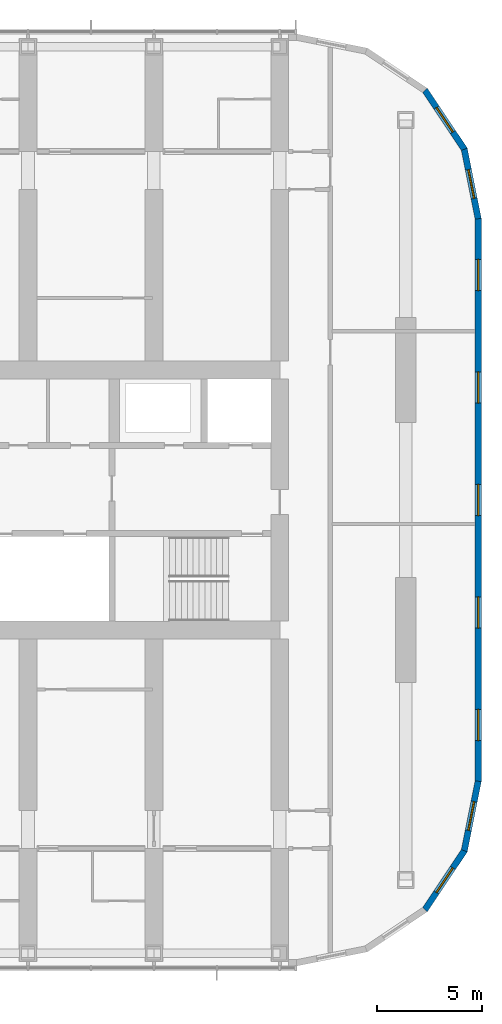
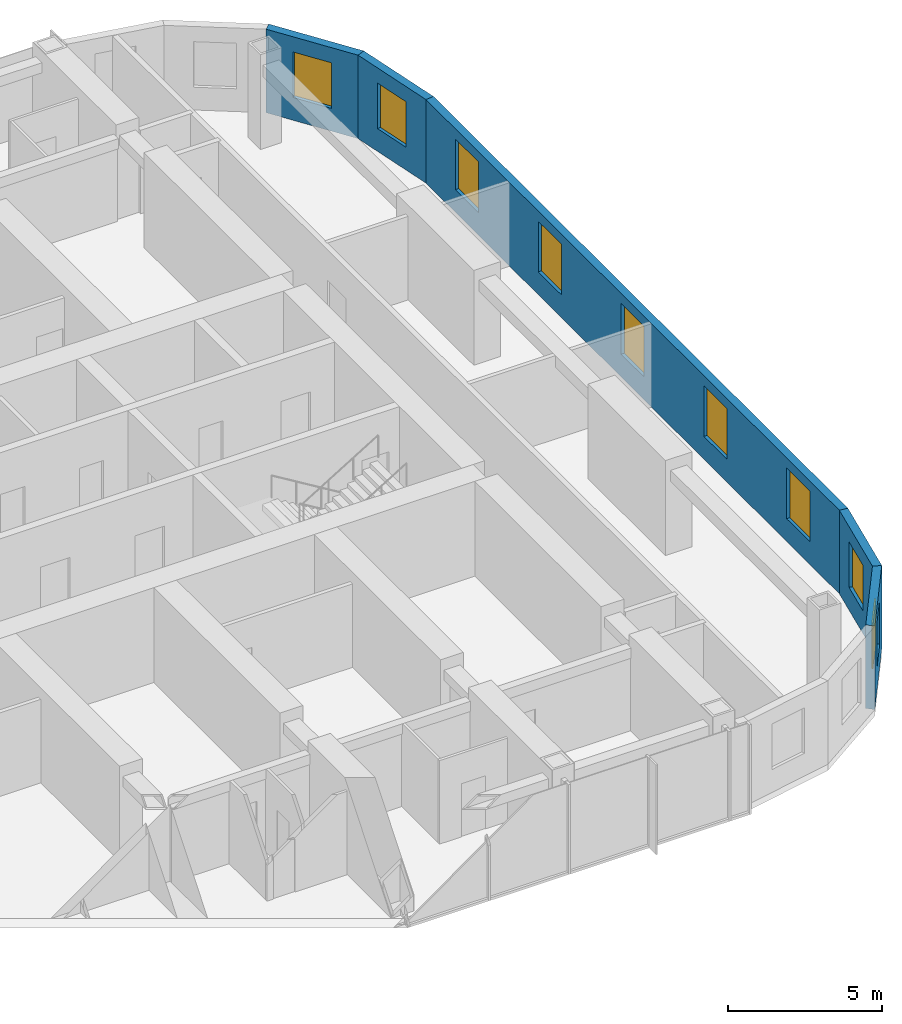
# One storey, part 17 of 22: 9 windows, 5 walls, 9 openings.
"""IFC4 building model written with IfcOpenShell, lengths in metres."""

from ifc_helpers import new_model, si_unit, direction, frame, frame_2d, origin, place, context, subcontext, project, spatial, polyline, rectangle, outline, extrude, material, layer, layer_set, type_object, element, fill, save


model = new_model("IFC4")

# Units and contexts
model_context = context("Model", 3, precision=1e-05, world=origin(), true_north=direction((0.0, 1.0)))
body_context = subcontext(model_context, "Body", "Model", "MODEL_VIEW")
ifc_project = project(units=[si_unit("LENGTHUNIT", "METRE"), si_unit("AREAUNIT", "SQUARE_METRE"), si_unit("VOLUMEUNIT", "CUBIC_METRE"), si_unit("PLANEANGLEUNIT", "RADIAN"), si_unit("MASSUNIT", "GRAM", prefix="KILO")], contexts=[model_context])

# Site, building, storey
site_placement = place(None, origin())
site = spatial("IfcSite", under=ifc_project, at=site_placement, CompositionType="ELEMENT")
building_placement = place(site_placement, origin())
building = spatial("IfcBuilding", under=site, at=building_placement, Name="Orbita Commons", CompositionType="ELEMENT")
storey_placement = place(building_placement, frame((0.0, 0.0, 144.85009765625)))
storey = spatial("IfcBuildingStorey", under=building, at=storey_placement, Name="L35", CompositionType="ELEMENT", Elevation=144.85009765625)

# Wall, openings, windows
ifc_material_1 = material(Name="Precast concrete C40/50, white board-marked finish", Category="concrete")
ifc_layer = layer(ifc_material_1, 0.300048828125)
ifc_layer_set = layer_set([ifc_layer], Name="Precast concrete C40/50, white board-marked finish")
wall_type = type_object("IfcWallType", Name="Precast concrete end shield 300", PredefinedType="SOLIDWALL", material=ifc_layer_set)
wall_1_placement = place(storey_placement, frame((75.449951171875, 18.60009765625, 0.0), z_axis=(0.0, 0.0, 1.0), x_axis=(0.0, 1.0, 0.0)))
wall_1 = element("IfcWall", 1, at=wall_1_placement, inside=storey, type_object=wall_type, Name="End shield E L35", PredefinedType="SOLIDWALL", context=body_context, shape_type="SweptSolid", body=[
    extrude(outline(polyline([(-0.014892578125, -0.14990234375), (26.814697265625, -0.14990234375), (26.784912109375, 0.14990234375), (0.014892578125, 0.14990234375), (-0.014892578125, -0.14990234375)])), origin(), (0.0, 0.0, 1.0), 3.2998046875),
])
opening_1_placement = place(wall_1_placement, frame((1.929931640625, 0.0, 0.89990234375)))
opening_1 = element("IfcOpeningElement", 2, at=opening_1_placement, cuts=wall_1, Name="Opening W01", PredefinedType="OPENING", context=body_context, shape_type="SweptSolid", body=[
    extrude(rectangle(XDim=1.5, YDim=2.0, at=frame_2d((0.75, 1.0))), frame((0.0, 0.159912109375, 0.0), z_axis=(0.0, -1.0, 0.0), x_axis=(1.0, 0.0, 0.0)), (0.0, 0.0, 1.0), 0.320068359375),
])
opening_2_placement = place(wall_1_placement, frame((7.2900390625, 0.0, 0.89990234375)))
opening_2 = element("IfcOpeningElement", 3, at=opening_2_placement, cuts=wall_1, Name="Opening W01", PredefinedType="OPENING", context=body_context, shape_type="SweptSolid", body=[
    extrude(rectangle(XDim=1.5, YDim=2.0, at=frame_2d((0.75, 1.0))), frame((0.0, 0.159912109375, 0.0), z_axis=(0.0, -1.0, 0.0), x_axis=(1.0, 0.0, 0.0)), (0.0, 0.0, 1.0), 0.320068359375),
])
opening_3_placement = place(wall_1_placement, frame((12.64990234375, 0.0, 0.89990234375)))
opening_3 = element("IfcOpeningElement", 4, at=opening_3_placement, cuts=wall_1, Name="Opening W01", PredefinedType="OPENING", context=body_context, shape_type="SweptSolid", body=[
    extrude(rectangle(XDim=1.5, YDim=2.0, at=frame_2d((0.75, 1.0))), frame((0.0, 0.159912109375, 0.0), z_axis=(0.0, -1.0, 0.0), x_axis=(1.0, 0.0, 0.0)), (0.0, 0.0, 1.0), 0.320068359375),
])
opening_4_placement = place(wall_1_placement, frame((18.010009765625, 0.0, 0.89990234375)))
opening_4 = element("IfcOpeningElement", 5, at=opening_4_placement, cuts=wall_1, Name="Opening W01", PredefinedType="OPENING", context=body_context, shape_type="SweptSolid", body=[
    extrude(rectangle(XDim=1.5, YDim=2.0, at=frame_2d((0.75, 1.0))), frame((0.0, 0.159912109375, 0.0), z_axis=(0.0, -1.0, 0.0), x_axis=(1.0, 0.0, 0.0)), (0.0, 0.0, 1.0), 0.320068359375),
])
opening_5_placement = place(wall_1_placement, frame((23.3701171875, 0.0, 0.89990234375)))
opening_5 = element("IfcOpeningElement", 6, at=opening_5_placement, cuts=wall_1, Name="Opening W01", PredefinedType="OPENING", context=body_context, shape_type="SweptSolid", body=[
    extrude(rectangle(XDim=1.5, YDim=2.0, at=frame_2d((0.75, 1.0))), frame((0.0, 0.159912109375, 0.0), z_axis=(0.0, -1.0, 0.0), x_axis=(1.0, 0.0, 0.0)), (0.0, 0.0, 1.0), 0.320068359375),
])
ifc_material_2 = material(Name="Aluminium frame, clear double glazing", Category="aluminium")
window_type_1 = type_object("IfcWindowType", Name="Deep-set window 1500x2000", PartitioningType="SINGLE_PANEL", PredefinedType="WINDOW", material=ifc_material_2)
window_1_placement = place(opening_1_placement, origin())
window_1 = element("IfcWindow", 7, at=window_1_placement, inside=storey, type_object=window_type_1, Name="Window L35-E 1", OverallHeight=2.0, OverallWidth=1.5, PartitioningType="SINGLE_PANEL", PredefinedType="WINDOW", context=body_context, shape_type="SweptSolid", body=[
    extrude(rectangle(XDim=1.5, YDim=2.0, at=frame_2d((0.75, 1.0))), frame((0.0, 0.030029296875, 0.0), z_axis=(0.0, -1.0, 0.0), x_axis=(1.0, 0.0, 0.0)), (0.0, 0.0, 1.0), 0.06005859375),
])
fill(opening_1, window_1)
window_2_placement = place(opening_2_placement, origin())
window_2 = element("IfcWindow", 8, at=window_2_placement, inside=storey, type_object=window_type_1, Name="Window L35-E 2", OverallHeight=2.0, OverallWidth=1.5, PartitioningType="SINGLE_PANEL", PredefinedType="WINDOW", context=body_context, shape_type="SweptSolid", body=[
    extrude(rectangle(XDim=1.5, YDim=2.0, at=frame_2d((0.75, 1.0))), frame((0.0, 0.030029296875, 0.0), z_axis=(0.0, -1.0, 0.0), x_axis=(1.0, 0.0, 0.0)), (0.0, 0.0, 1.0), 0.06005859375),
])
fill(opening_2, window_2)
window_3_placement = place(opening_3_placement, origin())
window_3 = element("IfcWindow", 9, at=window_3_placement, inside=storey, type_object=window_type_1, Name="Window L35-E 3", OverallHeight=2.0, OverallWidth=1.5, PartitioningType="SINGLE_PANEL", PredefinedType="WINDOW", context=body_context, shape_type="SweptSolid", body=[
    extrude(rectangle(XDim=1.5, YDim=2.0, at=frame_2d((0.75, 1.0))), frame((0.0, 0.030029296875, 0.0), z_axis=(0.0, -1.0, 0.0), x_axis=(1.0, 0.0, 0.0)), (0.0, 0.0, 1.0), 0.06005859375),
])
fill(opening_3, window_3)
window_4_placement = place(opening_4_placement, origin())
window_4 = element("IfcWindow", 10, at=window_4_placement, inside=storey, type_object=window_type_1, Name="Window L35-E 4", OverallHeight=2.0, OverallWidth=1.5, PartitioningType="SINGLE_PANEL", PredefinedType="WINDOW", context=body_context, shape_type="SweptSolid", body=[
    extrude(rectangle(XDim=1.5, YDim=2.0, at=frame_2d((0.75, 1.0))), frame((0.0, 0.030029296875, 0.0), z_axis=(0.0, -1.0, 0.0), x_axis=(1.0, 0.0, 0.0)), (0.0, 0.0, 1.0), 0.06005859375),
])
fill(opening_4, window_4)
window_5_placement = place(opening_5_placement, origin())
window_5 = element("IfcWindow", 11, at=window_5_placement, inside=storey, type_object=window_type_1, Name="Window L35-E 5", OverallHeight=2.0, OverallWidth=1.5, PartitioningType="SINGLE_PANEL", PredefinedType="WINDOW", context=body_context, shape_type="SweptSolid", body=[
    extrude(rectangle(XDim=1.5, YDim=2.0, at=frame_2d((0.75, 1.0))), frame((0.0, 0.030029296875, 0.0), z_axis=(0.0, -1.0, 0.0), x_axis=(1.0, 0.0, 0.0)), (0.0, 0.0, 1.0), 0.06005859375),
])
fill(opening_5, window_5)

# Wall, opening, window
wall_2_placement = place(storey_placement, frame((72.91650390625, 12.4833984375, 0.0), z_axis=(0.0, 0.0, 1.0), x_axis=(0.555534554399, 0.831493450887, 0.0)))
wall_2 = element("IfcWall", 12, at=wall_2_placement, inside=storey, type_object=wall_type, Name="End shield SE chord 3 L35", PredefinedType="SOLIDWALL", context=body_context, shape_type="SweptSolid", body=[
    extrude(outline(polyline([(-0.02978515625, -0.14990234375), (3.405029296875, -0.14990234375), (3.345458984375, 0.14990234375), (0.02978515625, 0.14990234375), (-0.02978515625, -0.14990234375)])), origin(), (0.0, 0.0, 1.0), 3.2998046875),
])
opening_6_placement = place(wall_2_placement, frame((0.987548828125, 0.0, 0.89990234375)))
opening_6 = element("IfcOpeningElement", 13, at=opening_6_placement, cuts=wall_2, Name="Opening W02", PredefinedType="OPENING", context=body_context, shape_type="SweptSolid", body=[
    extrude(rectangle(XDim=1.39990234375, YDim=1.800048828125, at=frame_2d((0.699951171875, 0.89990234375))), frame((0.0, 0.159912109375, 0.0), z_axis=(0.0, -1.0, 0.0), x_axis=(1.0, 0.0, 0.0)), (0.0, 0.0, 1.0), 0.320068359375),
])
ifc_material_3 = material(Name="Aluminium frame, clear double glazing", Category="aluminium")
window_type_2 = type_object("IfcWindowType", Name="Deep-set window 1400x1800", PartitioningType="SINGLE_PANEL", PredefinedType="WINDOW", material=ifc_material_3)
window_6_placement = place(opening_6_placement, origin())
window_6 = element("IfcWindow", 14, at=window_6_placement, inside=storey, type_object=window_type_2, Name="Window L35-SE2", OverallHeight=1.800048828125, OverallWidth=1.39990234375, PartitioningType="SINGLE_PANEL", PredefinedType="WINDOW", context=body_context, shape_type="SweptSolid", body=[
    extrude(rectangle(XDim=1.39990234375, YDim=1.800048828125, at=frame_2d((0.699951171875, 0.89990234375))), frame((0.0, 0.030029296875, 0.0), z_axis=(0.0, -1.0, 0.0), x_axis=(1.0, 0.0, 0.0)), (0.0, 0.0, 1.0), 0.06005859375),
])
fill(opening_6, window_6)

wall_3_placement = place(storey_placement, frame((74.79150390625, 15.289794921875, 0.0), z_axis=(0.0, 0.0, 1.0), x_axis=(0.19508664885, 0.980786011034, 0.0)))
wall_3 = element("IfcWall", 15, at=wall_3_placement, inside=storey, type_object=wall_type, Name="End shield SE chord 4 L35", PredefinedType="SOLIDWALL", context=body_context, shape_type="SweptSolid", body=[
    extrude(outline(polyline([(-0.02978515625, -0.14990234375), (3.39013671875, -0.14990234375), (3.3603515625, 0.14990234375), (0.02978515625, 0.14990234375), (-0.02978515625, -0.14990234375)])), origin(), (0.0, 0.0, 1.0), 3.2998046875),
])
opening_7_placement = place(wall_3_placement, frame((0.987548828125, 0.0, 0.89990234375)))
opening_7 = element("IfcOpeningElement", 16, at=opening_7_placement, cuts=wall_3, Name="Opening W02", PredefinedType="OPENING", context=body_context, shape_type="SweptSolid", body=[
    extrude(rectangle(XDim=1.39990234375, YDim=1.800048828125, at=frame_2d((0.699951171875, 0.89990234375))), frame((0.0, 0.159912109375, 0.0), z_axis=(0.0, -1.0, 0.0), x_axis=(1.0, 0.0, 0.0)), (0.0, 0.0, 1.0), 0.320068359375),
])
window_7_placement = place(opening_7_placement, origin())
window_7 = element("IfcWindow", 17, at=window_7_placement, inside=storey, type_object=window_type_2, Name="Window L35-SE3", OverallHeight=1.800048828125, OverallWidth=1.39990234375, PartitioningType="SINGLE_PANEL", PredefinedType="WINDOW", context=body_context, shape_type="SweptSolid", body=[
    extrude(rectangle(XDim=1.39990234375, YDim=1.800048828125, at=frame_2d((0.699951171875, 0.89990234375))), frame((0.0, 0.030029296875, 0.0), z_axis=(0.0, -1.0, 0.0), x_axis=(1.0, 0.0, 0.0)), (0.0, 0.0, 1.0), 0.06005859375),
])
fill(opening_7, window_7)

wall_4_placement = place(storey_placement, frame((75.449951171875, 45.39990234375, 0.0), z_axis=(0.0, 0.0, 1.0), x_axis=(-0.19508664885, 0.980786011034, 0.0)))
wall_4 = element("IfcWall", 18, at=wall_4_placement, inside=storey, type_object=wall_type, Name="End shield NE chord 1 L35", PredefinedType="SOLIDWALL", context=body_context, shape_type="SweptSolid", body=[
    extrude(outline(polyline([(-0.014892578125, -0.14990234375), (3.405029296875, -0.14990234375), (3.345458984375, 0.14990234375), (0.014892578125, 0.14990234375), (-0.014892578125, -0.14990234375)])), origin(), (0.0, 0.0, 1.0), 3.2998046875),
])
opening_8_placement = place(wall_4_placement, frame((0.987548828125, 0.0, 0.89990234375)))
opening_8 = element("IfcOpeningElement", 19, at=opening_8_placement, cuts=wall_4, Name="Opening W02", PredefinedType="OPENING", context=body_context, shape_type="SweptSolid", body=[
    extrude(rectangle(XDim=1.39990234375, YDim=1.800048828125, at=frame_2d((0.699951171875, 0.89990234375))), frame((0.0, 0.159912109375, 0.0), z_axis=(0.0, -1.0, 0.0), x_axis=(1.0, 0.0, 0.0)), (0.0, 0.0, 1.0), 0.320068359375),
])
window_8_placement = place(opening_8_placement, origin())
window_8 = element("IfcWindow", 20, at=window_8_placement, inside=storey, type_object=window_type_2, Name="Window L35-NE0", OverallHeight=1.800048828125, OverallWidth=1.39990234375, PartitioningType="SINGLE_PANEL", PredefinedType="WINDOW", context=body_context, shape_type="SweptSolid", body=[
    extrude(rectangle(XDim=1.39990234375, YDim=1.800048828125, at=frame_2d((0.699951171875, 0.89990234375))), frame((0.0, 0.030029296875, 0.0), z_axis=(0.0, -1.0, 0.0), x_axis=(1.0, 0.0, 0.0)), (0.0, 0.0, 1.0), 0.06005859375),
])
fill(opening_8, window_8)

wall_5_placement = place(storey_placement, frame((74.79150390625, 48.710205078125, 0.0), z_axis=(0.0, 0.0, 1.0), x_axis=(-0.555534554399, 0.831493450887, 0.0)))
wall_5 = element("IfcWall", 21, at=wall_5_placement, inside=storey, type_object=wall_type, Name="End shield NE chord 2 L35", PredefinedType="SOLIDWALL", context=body_context, shape_type="SweptSolid", body=[
    extrude(outline(polyline([(-0.02978515625, -0.14990234375), (3.405029296875, -0.14990234375), (3.345458984375, 0.14990234375), (0.02978515625, 0.14990234375), (-0.02978515625, -0.14990234375)])), origin(), (0.0, 0.0, 1.0), 3.2998046875),
])
opening_9_placement = place(wall_5_placement, frame((0.987548828125, 0.0, 0.89990234375)))
opening_9 = element("IfcOpeningElement", 22, at=opening_9_placement, cuts=wall_5, Name="Opening W02", PredefinedType="OPENING", context=body_context, shape_type="SweptSolid", body=[
    extrude(rectangle(XDim=1.39990234375, YDim=1.800048828125, at=frame_2d((0.699951171875, 0.89990234375))), frame((0.0, 0.159912109375, 0.0), z_axis=(0.0, -1.0, 0.0), x_axis=(1.0, 0.0, 0.0)), (0.0, 0.0, 1.0), 0.320068359375),
])
window_9_placement = place(opening_9_placement, origin())
window_9 = element("IfcWindow", 23, at=window_9_placement, inside=storey, type_object=window_type_2, Name="Window L35-NE1", OverallHeight=1.800048828125, OverallWidth=1.39990234375, PartitioningType="SINGLE_PANEL", PredefinedType="WINDOW", context=body_context, shape_type="SweptSolid", body=[
    extrude(rectangle(XDim=1.39990234375, YDim=1.800048828125, at=frame_2d((0.699951171875, 0.89990234375))), frame((0.0, 0.030029296875, 0.0), z_axis=(0.0, -1.0, 0.0), x_axis=(1.0, 0.0, 0.0)), (0.0, 0.0, 1.0), 0.06005859375),
])
fill(opening_9, window_9)

save(model, "model.ifc")
